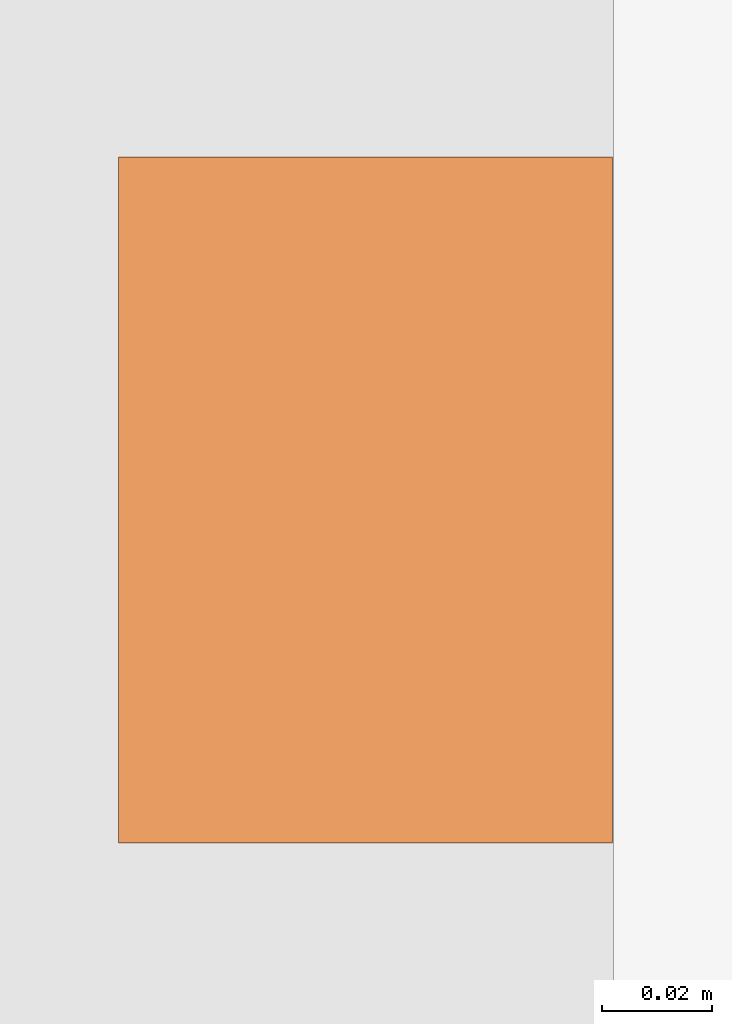
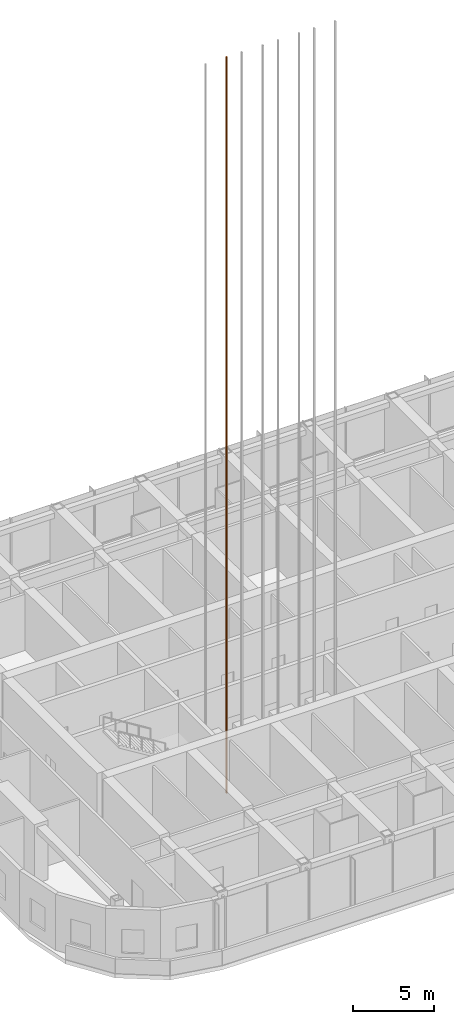
# One storey, part 29 of 35: 1 proxy.
"""IFC4 building model written with IfcOpenShell, lengths in metres."""

from ifc_helpers import new_model, si_unit, direction, frame, origin, origin_2d, place, context, subcontext, project, spatial, rectangle, extrude, material, element, save


model = new_model("IFC4")

# Units and contexts
model_context = context("Model", 3, precision=1e-05, world=origin(), true_north=direction((0.0, 1.0)))
body_context = subcontext(model_context, "Body", "Model", "MODEL_VIEW")
ifc_project = project(units=[si_unit("LENGTHUNIT", "METRE"), si_unit("AREAUNIT", "SQUARE_METRE"), si_unit("VOLUMEUNIT", "CUBIC_METRE"), si_unit("PLANEANGLEUNIT", "RADIAN"), si_unit("MASSUNIT", "GRAM", prefix="KILO")], contexts=[model_context])

# Site, building, storey
site_placement = place(None, origin())
site = spatial("IfcSite", under=ifc_project, at=site_placement, CompositionType="ELEMENT")
building_placement = place(site_placement, origin())
building = spatial("IfcBuilding", under=site, at=building_placement, Name="Orbita Commons", CompositionType="ELEMENT")
storey_placement = place(building_placement, frame((0.0, 0.0, 208.300048828125)))
storey = spatial("IfcBuildingStorey", under=building, at=storey_placement, Name="L51", CompositionType="ELEMENT", Elevation=208.300048828125)

# Proxy
ifc_material = material(Name="Machined steel guide rail", Category="steel")
placement = place(storey_placement, frame((27.300048828125, 28.10009765625, 0.0), z_axis=(0.0, 0.0, 1.0), x_axis=(1.0, 0.0, 0.0)))
proxy_placement = place(placement, frame((0.7548828125, 0.0, -1.800048828125)))
element("IfcBuildingElementProxy", 1, at=proxy_placement, inside=storey, material=ifc_material, Name="P41 guide rail 2", ObjectType="GUIDE RAIL", PredefinedType="USERDEFINED", context=body_context, shape_type="SweptSolid", body=[
    extrude(rectangle(XDim=0.09, YDim=0.125, at=origin_2d()), origin(), (0.0, 0.0, 1.0), 55.800048828125),
])

save(model, "model.ifc")
